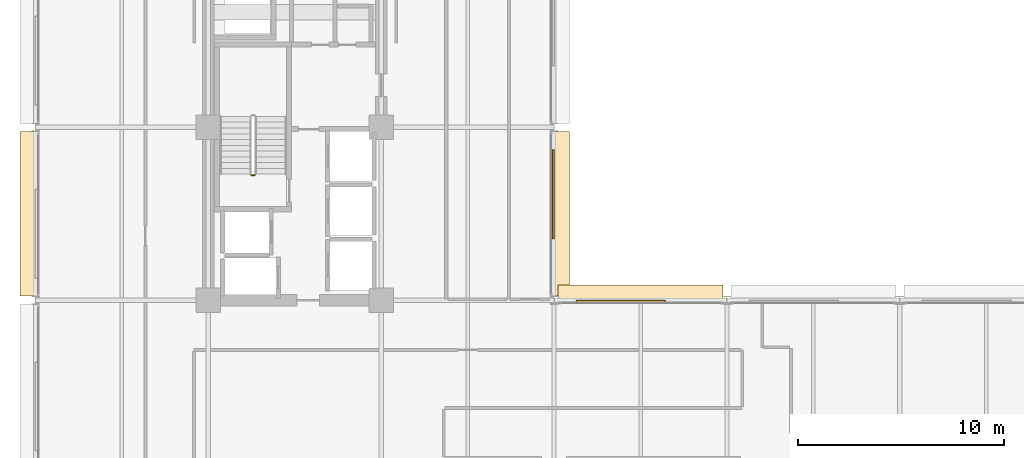
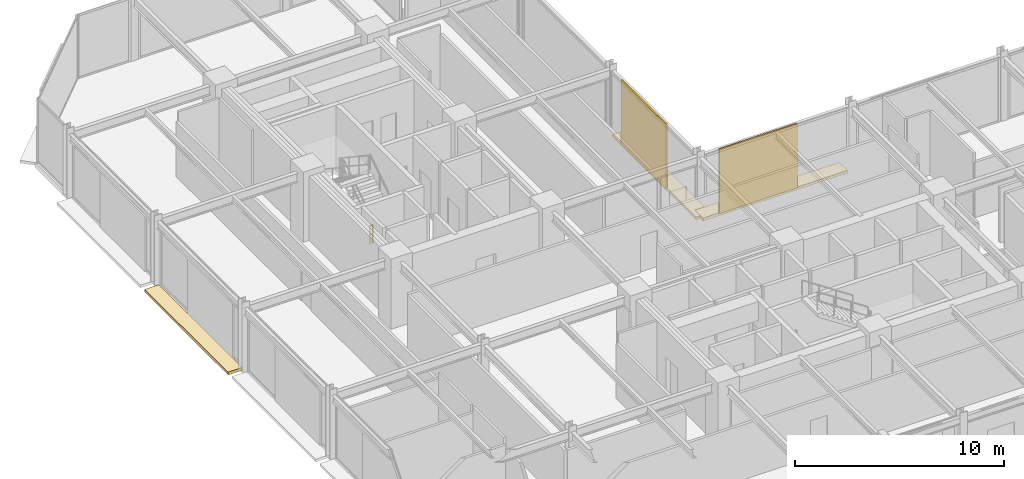
# One storey, part 38 of 40: 5 coverings, 1 railing.
"""IFC4 building model written with IfcOpenShell, lengths in metres."""

from ifc_helpers import new_model, si_unit, direction, frame, origin, origin_2d, place, context, subcontext, project, spatial, polyline, rectangle, circle, outline, extrude, material, layer, layer_set, type_object, element, save


model = new_model("IFC4")

# Units and contexts
model_context = context("Model", 3, precision=1e-05, world=origin(), true_north=direction((0.0, 1.0)))
body_context = subcontext(model_context, "Body", "Model", "MODEL_VIEW")
ifc_project = project(units=[si_unit("LENGTHUNIT", "METRE"), si_unit("AREAUNIT", "SQUARE_METRE"), si_unit("VOLUMEUNIT", "CUBIC_METRE"), si_unit("PLANEANGLEUNIT", "RADIAN"), si_unit("MASSUNIT", "GRAM", prefix="KILO")], contexts=[model_context])

# Site, building, storey
site_placement = place(None, origin())
site = spatial("IfcSite", under=ifc_project, at=site_placement, CompositionType="ELEMENT")
building_placement = place(site_placement, origin())
building = spatial("IfcBuilding", under=site, at=building_placement, Name="Nerrivon Quay Data Exchange", CompositionType="ELEMENT")
storey_placement = place(building_placement, frame((0.0, 0.0, 109.0)))
storey = spatial("IfcBuildingStorey", under=building, at=storey_placement, Name="L25", CompositionType="ELEMENT", Elevation=109.0)

# Coverings
ifc_material_1 = material(Name="Architectural terracotta ceramic", Category="masonry")
ifc_layer_1 = layer(ifc_material_1, 0.159912109375)
ifc_layer_set_1 = layer_set([ifc_layer_1], Name="Architectural terracotta ceramic")
covering_type_1 = type_object("IfcCoveringType", Name="COV-BLD-TERR", PredefinedType="CLADDING", material=ifc_layer_set_1)
covering_1_placement = place(storey_placement, frame((0.0, 0.0, -0.159912109375)))
element("IfcCovering", 1, at=covering_1_placement, inside=storey, type_object=covering_type_1, Name="L25 Horizontal Terracotta SOLAR SCREEN Blade", PredefinedType="CLADDING", context=body_context, shape_type="SweptSolid", body=[
    extrude(outline(polyline([(0.0400390625, 25.39990234375), (0.0400390625, 33.39990234375), (-0.75, 33.39990234375), (-0.75, 25.39990234375), (0.0400390625, 25.39990234375)])), origin(), (0.0, 0.0, 1.0), 0.159912109375),
])
covering_2_placement = place(storey_placement, frame((0.0, 0.0, -0.159912109375)))
element("IfcCovering", 2, at=covering_2_placement, inside=storey, type_object=covering_type_1, Name="L25 Horizontal Terracotta SOLAR SCREEN Blade", PredefinedType="CLADDING", context=body_context, shape_type="SweptSolid", body=[
    extrude(outline(polyline([(25.159912109375, 33.39990234375), (25.159912109375, 25.39990234375), (25.949951171875, 25.39990234375), (25.949951171875, 33.39990234375), (25.159912109375, 33.39990234375)])), origin(), (0.0, 0.0, 1.0), 0.159912109375),
])
covering_3_placement = place(storey_placement, frame((0.0, 0.0, -0.159912109375)))
element("IfcCovering", 3, at=covering_3_placement, inside=storey, type_object=covering_type_1, Name="L25 Horizontal Terracotta SOLAR SCREEN Blade", PredefinedType="CLADDING", context=body_context, shape_type="SweptSolid", body=[
    extrude(outline(polyline([(25.39990234375, 25.159912109375), (33.39990234375, 25.159912109375), (33.39990234375, 25.949951171875), (25.39990234375, 25.949951171875), (25.39990234375, 25.159912109375)])), origin(), (0.0, 0.0, 1.0), 0.159912109375),
])
ifc_layer_2 = layer(ifc_material_1, 0.090087890625)
ifc_layer_set_2 = layer_set([ifc_layer_2], Name="Architectural terracotta ceramic")
covering_type_2 = type_object("IfcCoveringType", Name="COV-SCR-TERR", PredefinedType="CLADDING", material=ifc_layer_set_2)
for number, where, z_axis, x_axis, name in (
    (4, (25.155029296875, 30.360107421875, 0.0), (0.0, 0.0, 1.0), (0.0, -1.0, 0.0), "L25 Perforated Terracotta SOLAR SCREEN Cassette"),
    (5, (28.43994140625, 25.155029296875, 0.0), (0.0, 0.0, 1.0), (1.0, 0.0, 0.0), "L25 Perforated Terracotta SOLAR SCREEN Cassette"),
):
    element("IfcCovering", number, at=place(storey_placement, frame(where, z_axis=z_axis, x_axis=x_axis)), inside=storey, type_object=covering_type_2, Name=name, PredefinedType="CLADDING", context=body_context, shape_type="SweptSolid", body=[
        extrude(rectangle(XDim=4.320068359375, YDim=0.090087890625, at=origin_2d()), origin(), (0.0, 0.0, 1.0), 3.75),
    ])

# Railing
ifc_material_2 = material(Name="Steel Grade C350L0 (350 MPa)", Category="steel")
railing_type = type_object("IfcRailingType", Name="RAIL-STAIR-GR1", PredefinedType="BALUSTRADE", material=ifc_material_2)
railing_placement = place(storey_placement, frame((10.64990234375, 31.280029296875, 0.0)))
element("IfcRailing", 6, at=railing_placement, inside=storey, type_object=railing_type, Name="L25 ST01 stair guard 4", PredefinedType="BALUSTRADE", context=body_context, shape_type="SweptSolid", body=[
    extrude(circle(Radius=0.02392578125, at=origin_2d()), frame((0.0, 0.0, 1.076171875), z_axis=(-1.0, 0.0, 0.0), x_axis=(0.0, -1.0, 0.0)), (0.0, 0.0, 1.0), 0.14990234375),
    extrude(circle(Radius=0.02392578125, at=origin_2d()), frame((0.0, 0.0, 0.550048828125), z_axis=(-1.0, 0.0, 0.0), x_axis=(0.0, -1.0, 0.0)), (0.0, 0.0, 1.0), 0.14990234375),
    extrude(circle(Radius=0.02099609375, at=origin_2d()), origin(), (0.0, 0.0, 1.0), 1.052001953125),
    extrude(circle(Radius=0.02099609375, at=origin_2d()), frame((-0.14990234375, 0.0, 0.0)), (0.0, 0.0, 1.0), 1.052001953125),
])

save(model, "model.ifc")
